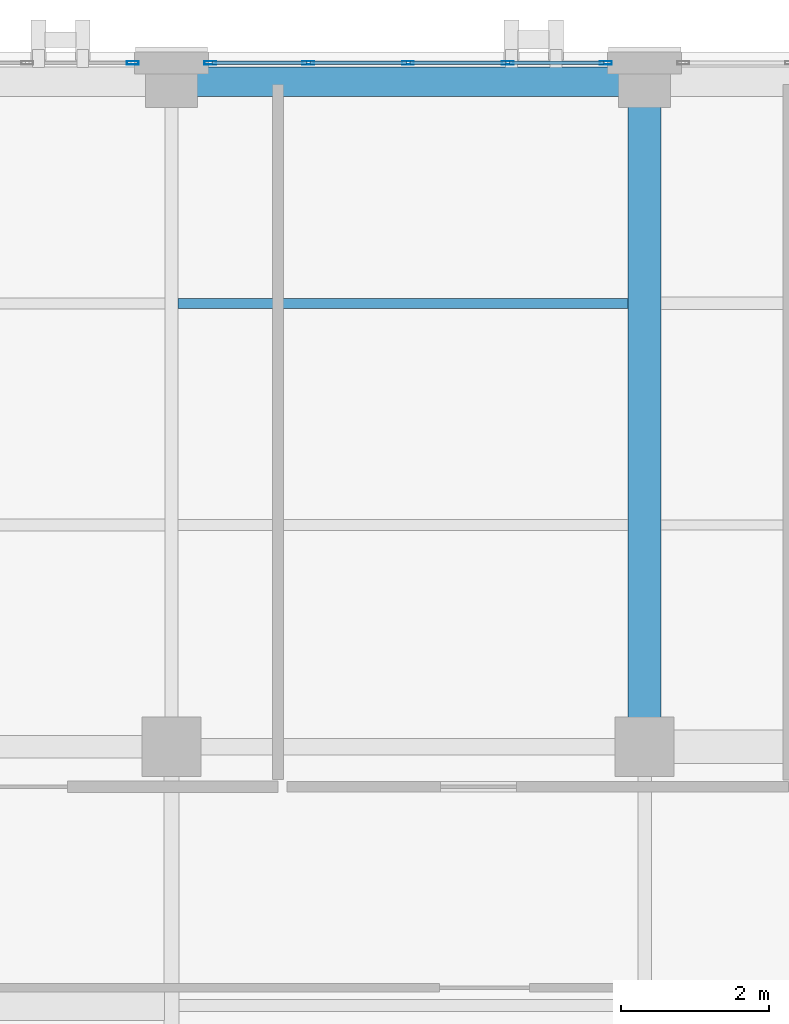
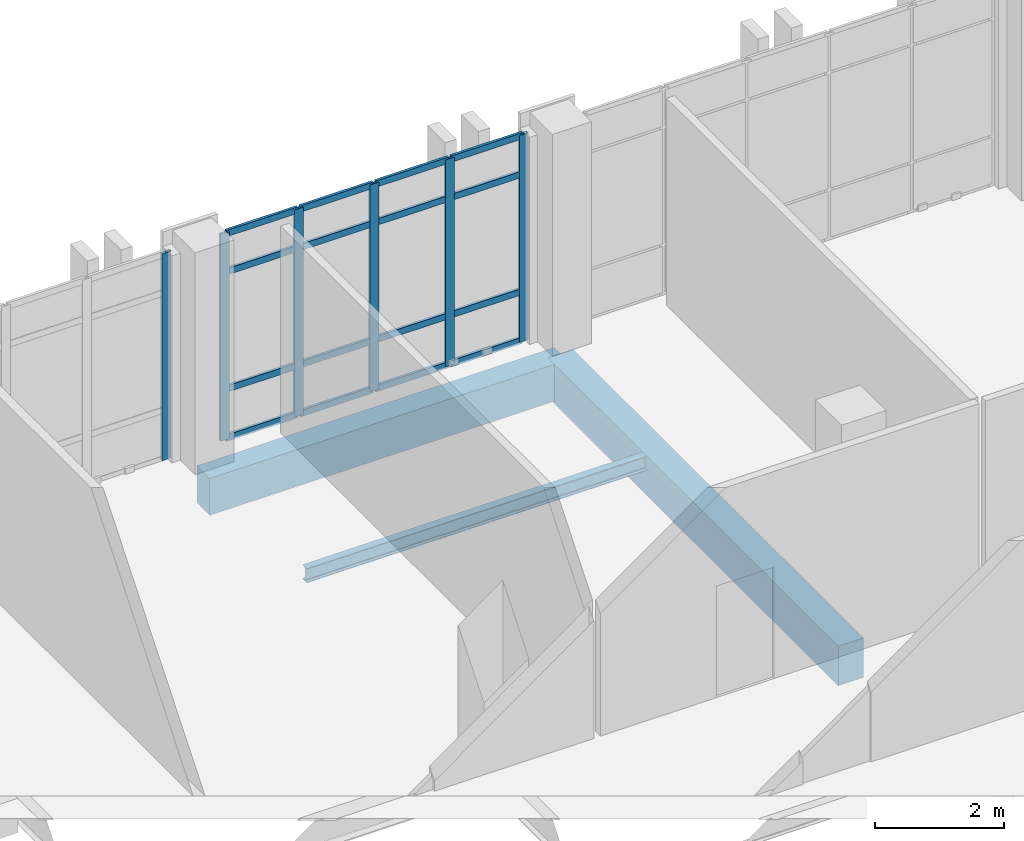
# One storey, part 96 of 165: 22 members, 3 beams, 2 elements without a shape of their own.
"""IFC4 building model written with IfcOpenShell, lengths in metres."""

from ifc_helpers import new_model, si_unit, direction, frame, origin, origin_2d, place, context, subcontext, project, spatial, rectangle, hollow_rectangle, i_section, extrude, material, layer, layer_set, material_profile, profile_set, type_object, element, aggregate, save


model = new_model("IFC4")

# Units and contexts
model_context = context("Model", 3, precision=1e-05, world=origin(), true_north=direction((0.0, 1.0)))
body_context = subcontext(model_context, "Body", "Model", "MODEL_VIEW")
ifc_project = project(units=[si_unit("LENGTHUNIT", "METRE"), si_unit("AREAUNIT", "SQUARE_METRE"), si_unit("VOLUMEUNIT", "CUBIC_METRE"), si_unit("PLANEANGLEUNIT", "RADIAN"), si_unit("MASSUNIT", "GRAM", prefix="KILO")], contexts=[model_context])

# Site, building, storey
site_placement = place(None, origin())
site = spatial("IfcSite", under=ifc_project, at=site_placement, CompositionType="ELEMENT")
building_placement = place(site_placement, origin())
building = spatial("IfcBuilding", under=site, at=building_placement, Name="Qalavern Law Courts", CompositionType="ELEMENT")
storey_placement = place(building_placement, frame((0.0, 0.0, 14.39990234375)))
storey = spatial("IfcBuildingStorey", under=building, at=storey_placement, Name="L03", CompositionType="ELEMENT", Elevation=14.39990234375)

# Curtain wall, members
ifc_material_1 = material(Name="Anodised aluminium and insulated glazing", Category="aluminium")
ifc_layer = layer(ifc_material_1, 0.166015625)
ifc_layer_set = layer_set([ifc_layer], Name="Anodised aluminium and insulated glazing")
curtain_wall_type = type_object("IfcCurtainWallType", Name="ENV-CW-LIB", PredefinedType="USERDEFINED", material=ifc_layer_set)
curtain_wall_1_placement = place(storey_placement, origin())
curtain_wall_1 = element("IfcCurtainWall", 1, at=curtain_wall_1_placement, inside=storey, type_object=curtain_wall_type, Name="V5 unitised curtain wall L03 north 2", ObjectType="UNITISED CURTAIN WALL", PredefinedType="USERDEFINED")
ifc_material_2 = material(Name="Anodised aluminium", Category="aluminium")
ifc_material_profile_1 = material_profile(ifc_material_2, hollow_rectangle(XDim=0.048095703125, YDim=0.159912109375, WallThickness=0.00390625, at=origin_2d()), Name="ALU MULLION 48x160")
ifc_profile_set_1 = profile_set([ifc_material_profile_1], Name="Anodised aluminium")
member_type_1 = type_object("IfcMemberType", Name="ENV-CWM-48x160", PredefinedType="MULLION", material=ifc_profile_set_1)
member_1_placement = place(storey_placement, frame((57.47607421875, 112.8525390625, 0.0), z_axis=(0.0, 0.0, 1.0), x_axis=(0.0, -1.0, 0.0)))
member_1 = element("IfcMember", 2, at=member_1_placement, type_object=member_type_1, Name="CW-05 mullion 1", PredefinedType="MULLION", context=body_context, shape_type="SweptSolid", body=[
    extrude(hollow_rectangle(XDim=0.048095703125, YDim=0.159912109375, WallThickness=0.00390625, at=origin_2d()), origin(), (0.0, 0.0, 1.0), 3.920166015625),
])
member_2_placement = place(storey_placement, frame((56.14990234375, 112.8525390625, 0.0), z_axis=(0.0, 0.0, 1.0), x_axis=(0.0, -1.0, 0.0)))
member_2 = element("IfcMember", 3, at=member_2_placement, type_object=member_type_1, Name="CW-05 mullion 2", PredefinedType="MULLION", context=body_context, shape_type="SweptSolid", body=[
    extrude(hollow_rectangle(XDim=0.048095703125, YDim=0.159912109375, WallThickness=0.00390625, at=origin_2d()), origin(), (0.0, 0.0, 1.0), 3.920166015625),
])
member_3_placement = place(storey_placement, frame((54.800048828125, 112.8525390625, 0.0), z_axis=(0.0, 0.0, 1.0), x_axis=(0.0, -1.0, 0.0)))
member_3 = element("IfcMember", 4, at=member_3_placement, type_object=member_type_1, Name="CW-05 mullion 3", PredefinedType="MULLION", context=body_context, shape_type="SweptSolid", body=[
    extrude(hollow_rectangle(XDim=0.048095703125, YDim=0.159912109375, WallThickness=0.00390625, at=origin_2d()), origin(), (0.0, 0.0, 1.0), 3.920166015625),
])
member_4_placement = place(storey_placement, frame((53.449951171875, 112.8525390625, 0.0), z_axis=(0.0, 0.0, 1.0), x_axis=(0.0, -1.0, 0.0)))
member_4 = element("IfcMember", 5, at=member_4_placement, type_object=member_type_1, Name="CW-05 mullion 4", PredefinedType="MULLION", context=body_context, shape_type="SweptSolid", body=[
    extrude(hollow_rectangle(XDim=0.048095703125, YDim=0.159912109375, WallThickness=0.00390625, at=origin_2d()), origin(), (0.0, 0.0, 1.0), 3.920166015625),
])
member_5_placement = place(storey_placement, frame((52.1240234375, 112.8525390625, 0.0), z_axis=(0.0, 0.0, 1.0), x_axis=(0.0, -1.0, 0.0)))
member_5 = element("IfcMember", 6, at=member_5_placement, type_object=member_type_1, Name="CW-05 mullion 5", PredefinedType="MULLION", context=body_context, shape_type="SweptSolid", body=[
    extrude(hollow_rectangle(XDim=0.048095703125, YDim=0.159912109375, WallThickness=0.00390625, at=origin_2d()), origin(), (0.0, 0.0, 1.0), 3.920166015625),
])

# Curtain wall, member
curtain_wall_2_placement = place(storey_placement, origin())
curtain_wall_2 = element("IfcCurtainWall", 7, at=curtain_wall_2_placement, inside=storey, type_object=curtain_wall_type, Name="V5 unitised curtain wall L03 north 3", ObjectType="UNITISED CURTAIN WALL", PredefinedType="USERDEFINED")
member_6_placement = place(storey_placement, frame((51.075927734375, 112.8525390625, 0.0), z_axis=(0.0, 0.0, 1.0), x_axis=(0.0, -1.0, 0.0)))
member_6 = element("IfcMember", 8, at=member_6_placement, type_object=member_type_1, Name="CW-05 mullion 1", PredefinedType="MULLION", context=body_context, shape_type="SweptSolid", body=[
    extrude(hollow_rectangle(XDim=0.048095703125, YDim=0.159912109375, WallThickness=0.00390625, at=origin_2d()), origin(), (0.0, 0.0, 1.0), 3.920166015625),
])
aggregate(curtain_wall_2, [member_6])

# Member
ifc_material_profile_2 = material_profile(ifc_material_2, hollow_rectangle(XDim=0.048095703125, YDim=0.1201171875, WallThickness=0.00390625, at=origin_2d()), Name="ALU TRANSOM 48x120")
ifc_profile_set_2 = profile_set([ifc_material_profile_2], Name="Anodised aluminium")
member_type_2 = type_object("IfcMemberType", Name="ENV-CWT-48x120", PredefinedType="USERDEFINED", material=ifc_profile_set_2)
member_7_placement = place(storey_placement, frame((57.451904296875, 112.8525390625, 0.024169921875), z_axis=(-1.0, 0.0, 0.0), x_axis=(0.0, -1.0, 0.0)))
member_7 = element("IfcMember", 9, at=member_7_placement, type_object=member_type_2, Name="CW-05 transom 1.1", ObjectType="TRANSOM", PredefinedType="USERDEFINED", context=body_context, shape_type="SweptSolid", body=[
    extrude(hollow_rectangle(XDim=0.048095703125, YDim=0.1201171875, WallThickness=0.00390625, at=origin_2d()), origin(), (0.0, 0.0, 1.0), 1.27783203125),
])

member_8_placement = place(storey_placement, frame((57.451904296875, 112.8525390625, 0.9501953125), z_axis=(-1.0, 0.0, 0.0), x_axis=(0.0, -1.0, 0.0)))
member_8 = element("IfcMember", 10, at=member_8_placement, type_object=member_type_2, Name="CW-05 transom 1.2", ObjectType="TRANSOM", PredefinedType="USERDEFINED", context=body_context, shape_type="SweptSolid", body=[
    extrude(hollow_rectangle(XDim=0.048095703125, YDim=0.1201171875, WallThickness=0.00390625, at=origin_2d()), origin(), (0.0, 0.0, 1.0), 1.27783203125),
])

member_9_placement = place(storey_placement, frame((57.451904296875, 112.8525390625, 3.170166015625), z_axis=(-1.0, 0.0, 0.0), x_axis=(0.0, -1.0, 0.0)))
member_9 = element("IfcMember", 11, at=member_9_placement, type_object=member_type_2, Name="CW-05 transom 1.3", ObjectType="TRANSOM", PredefinedType="USERDEFINED", context=body_context, shape_type="SweptSolid", body=[
    extrude(hollow_rectangle(XDim=0.048095703125, YDim=0.1201171875, WallThickness=0.00390625, at=origin_2d()), origin(), (0.0, 0.0, 1.0), 1.27783203125),
])

member_10_placement = place(storey_placement, frame((57.451904296875, 112.8525390625, 3.89599609375), z_axis=(-1.0, 0.0, 0.0), x_axis=(0.0, -1.0, 0.0)))
member_10 = element("IfcMember", 12, at=member_10_placement, type_object=member_type_2, Name="CW-05 transom 1.4", ObjectType="TRANSOM", PredefinedType="USERDEFINED", context=body_context, shape_type="SweptSolid", body=[
    extrude(hollow_rectangle(XDim=0.048095703125, YDim=0.1201171875, WallThickness=0.00390625, at=origin_2d()), origin(), (0.0, 0.0, 1.0), 1.27783203125),
])

member_11_placement = place(storey_placement, frame((56.1259765625, 112.8525390625, 0.024169921875), z_axis=(-1.0, 0.0, 0.0), x_axis=(0.0, -1.0, 0.0)))
member_11 = element("IfcMember", 13, at=member_11_placement, type_object=member_type_2, Name="CW-05 transom 2.1", ObjectType="TRANSOM", PredefinedType="USERDEFINED", context=body_context, shape_type="SweptSolid", body=[
    extrude(hollow_rectangle(XDim=0.048095703125, YDim=0.1201171875, WallThickness=0.00390625, at=origin_2d()), origin(), (0.0, 0.0, 1.0), 1.302001953125),
])

member_12_placement = place(storey_placement, frame((56.1259765625, 112.8525390625, 0.9501953125), z_axis=(-1.0, 0.0, 0.0), x_axis=(0.0, -1.0, 0.0)))
member_12 = element("IfcMember", 14, at=member_12_placement, type_object=member_type_2, Name="CW-05 transom 2.2", ObjectType="TRANSOM", PredefinedType="USERDEFINED", context=body_context, shape_type="SweptSolid", body=[
    extrude(hollow_rectangle(XDim=0.048095703125, YDim=0.1201171875, WallThickness=0.00390625, at=origin_2d()), origin(), (0.0, 0.0, 1.0), 1.302001953125),
])

member_13_placement = place(storey_placement, frame((56.1259765625, 112.8525390625, 3.170166015625), z_axis=(-1.0, 0.0, 0.0), x_axis=(0.0, -1.0, 0.0)))
member_13 = element("IfcMember", 15, at=member_13_placement, type_object=member_type_2, Name="CW-05 transom 2.3", ObjectType="TRANSOM", PredefinedType="USERDEFINED", context=body_context, shape_type="SweptSolid", body=[
    extrude(hollow_rectangle(XDim=0.048095703125, YDim=0.1201171875, WallThickness=0.00390625, at=origin_2d()), origin(), (0.0, 0.0, 1.0), 1.302001953125),
])

member_14_placement = place(storey_placement, frame((56.1259765625, 112.8525390625, 3.89599609375), z_axis=(-1.0, 0.0, 0.0), x_axis=(0.0, -1.0, 0.0)))
member_14 = element("IfcMember", 16, at=member_14_placement, type_object=member_type_2, Name="CW-05 transom 2.4", ObjectType="TRANSOM", PredefinedType="USERDEFINED", context=body_context, shape_type="SweptSolid", body=[
    extrude(hollow_rectangle(XDim=0.048095703125, YDim=0.1201171875, WallThickness=0.00390625, at=origin_2d()), origin(), (0.0, 0.0, 1.0), 1.302001953125),
])

member_15_placement = place(storey_placement, frame((54.77587890625, 112.8525390625, 0.024169921875), z_axis=(-1.0, 0.0, 0.0), x_axis=(0.0, -1.0, 0.0)))
member_15 = element("IfcMember", 17, at=member_15_placement, type_object=member_type_2, Name="CW-05 transom 3.1", ObjectType="TRANSOM", PredefinedType="USERDEFINED", context=body_context, shape_type="SweptSolid", body=[
    extrude(hollow_rectangle(XDim=0.048095703125, YDim=0.1201171875, WallThickness=0.00390625, at=origin_2d()), origin(), (0.0, 0.0, 1.0), 1.3017578125),
])

member_16_placement = place(storey_placement, frame((54.77587890625, 112.8525390625, 0.9501953125), z_axis=(-1.0, 0.0, 0.0), x_axis=(0.0, -1.0, 0.0)))
member_16 = element("IfcMember", 18, at=member_16_placement, type_object=member_type_2, Name="CW-05 transom 3.2", ObjectType="TRANSOM", PredefinedType="USERDEFINED", context=body_context, shape_type="SweptSolid", body=[
    extrude(hollow_rectangle(XDim=0.048095703125, YDim=0.1201171875, WallThickness=0.00390625, at=origin_2d()), origin(), (0.0, 0.0, 1.0), 1.3017578125),
])

member_17_placement = place(storey_placement, frame((54.77587890625, 112.8525390625, 3.170166015625), z_axis=(-1.0, 0.0, 0.0), x_axis=(0.0, -1.0, 0.0)))
member_17 = element("IfcMember", 19, at=member_17_placement, type_object=member_type_2, Name="CW-05 transom 3.3", ObjectType="TRANSOM", PredefinedType="USERDEFINED", context=body_context, shape_type="SweptSolid", body=[
    extrude(hollow_rectangle(XDim=0.048095703125, YDim=0.1201171875, WallThickness=0.00390625, at=origin_2d()), origin(), (0.0, 0.0, 1.0), 1.3017578125),
])

member_18_placement = place(storey_placement, frame((54.77587890625, 112.8525390625, 3.89599609375), z_axis=(-1.0, 0.0, 0.0), x_axis=(0.0, -1.0, 0.0)))
member_18 = element("IfcMember", 20, at=member_18_placement, type_object=member_type_2, Name="CW-05 transom 3.4", ObjectType="TRANSOM", PredefinedType="USERDEFINED", context=body_context, shape_type="SweptSolid", body=[
    extrude(hollow_rectangle(XDim=0.048095703125, YDim=0.1201171875, WallThickness=0.00390625, at=origin_2d()), origin(), (0.0, 0.0, 1.0), 1.3017578125),
])

member_19_placement = place(storey_placement, frame((53.426025390625, 112.8525390625, 0.024169921875), z_axis=(-1.0, 0.0, 0.0), x_axis=(0.0, -1.0, 0.0)))
member_19 = element("IfcMember", 21, at=member_19_placement, type_object=member_type_2, Name="CW-05 transom 4.1", ObjectType="TRANSOM", PredefinedType="USERDEFINED", context=body_context, shape_type="SweptSolid", body=[
    extrude(hollow_rectangle(XDim=0.048095703125, YDim=0.1201171875, WallThickness=0.00390625, at=origin_2d()), origin(), (0.0, 0.0, 1.0), 1.278076171875),
])

member_20_placement = place(storey_placement, frame((53.426025390625, 112.8525390625, 0.9501953125), z_axis=(-1.0, 0.0, 0.0), x_axis=(0.0, -1.0, 0.0)))
member_20 = element("IfcMember", 22, at=member_20_placement, type_object=member_type_2, Name="CW-05 transom 4.2", ObjectType="TRANSOM", PredefinedType="USERDEFINED", context=body_context, shape_type="SweptSolid", body=[
    extrude(hollow_rectangle(XDim=0.048095703125, YDim=0.1201171875, WallThickness=0.00390625, at=origin_2d()), origin(), (0.0, 0.0, 1.0), 1.278076171875),
])

member_21_placement = place(storey_placement, frame((53.426025390625, 112.8525390625, 3.170166015625), z_axis=(-1.0, 0.0, 0.0), x_axis=(0.0, -1.0, 0.0)))
member_21 = element("IfcMember", 23, at=member_21_placement, type_object=member_type_2, Name="CW-05 transom 4.3", ObjectType="TRANSOM", PredefinedType="USERDEFINED", context=body_context, shape_type="SweptSolid", body=[
    extrude(hollow_rectangle(XDim=0.048095703125, YDim=0.1201171875, WallThickness=0.00390625, at=origin_2d()), origin(), (0.0, 0.0, 1.0), 1.278076171875),
])

member_22_placement = place(storey_placement, frame((53.426025390625, 112.8525390625, 3.89599609375), z_axis=(-1.0, 0.0, 0.0), x_axis=(0.0, -1.0, 0.0)))
member_22 = element("IfcMember", 24, at=member_22_placement, type_object=member_type_2, Name="CW-05 transom 4.4", ObjectType="TRANSOM", PredefinedType="USERDEFINED", context=body_context, shape_type="SweptSolid", body=[
    extrude(hollow_rectangle(XDim=0.048095703125, YDim=0.1201171875, WallThickness=0.00390625, at=origin_2d()), origin(), (0.0, 0.0, 1.0), 1.278076171875),
])

aggregate(curtain_wall_1, [member_1, member_2, member_3, member_4, member_5, member_7, member_8, member_9, member_10, member_11, member_12, member_13, member_14, member_15, member_16, member_17, member_18, member_19, member_20, member_21, member_22])

# Beams
ifc_material_3 = material(Name="Concrete C40/50", Category="concrete")
ifc_material_profile_3 = material_profile(ifc_material_3, rectangle(XDim=0.449951171875, YDim=0.75, at=origin_2d()), Name="RC 450x750")
ifc_profile_set_3 = profile_set([ifc_material_profile_3], Name="Concrete C40/50")
beam_type_1 = type_object("IfcBeamType", Name="STR-BM-RC450x750", PredefinedType="BEAM", material=ifc_profile_set_3)
beam_1_placement = place(storey_placement, frame((58.0, 103.60009765625, -0.659912109375), z_axis=(0.0, 1.0, 0.0), x_axis=(-1.0, 0.0, 0.0)))
element("IfcBeam", 25, at=beam_1_placement, inside=storey, type_object=beam_type_1, Name="V5 Y-beam 8-2 L03", PredefinedType="BEAM", context=body_context, shape_type="SweptSolid", body=[
    extrude(rectangle(XDim=0.449951171875, YDim=0.75, at=origin_2d()), origin(), (0.0, 0.0, 1.0), 9.0),
])
ifc_material_4 = material(Name="Steel S355", Category="steel")
ifc_material_profile_4 = material_profile(ifc_material_4, i_section(OverallWidth=0.135009765625, OverallDepth=0.27001953125, WebThickness=0.006591796875, FlangeThickness=0.01025390625, FilletRadius=0.014892578125, at=origin_2d()), Name="IPE 270")
ifc_profile_set_4 = profile_set([ifc_material_profile_4], Name="Steel S355")
beam_type_2 = type_object("IfcBeamType", Name="STR-JST-IPE270", PredefinedType="JOIST", material=ifc_profile_set_4)
beam_2_placement = place(storey_placement, frame((51.68798828125, 109.60009765625, -0.419921875), z_axis=(1.0, 0.0, 0.0), x_axis=(0.0, 1.0, 0.0)))
element("IfcBeam", 26, at=beam_2_placement, inside=storey, type_object=beam_type_2, Name="V5 secondary joist 7.2.2 L03", PredefinedType="JOIST", context=body_context, shape_type="SweptSolid", body=[
    extrude(i_section(OverallWidth=0.135009765625, OverallDepth=0.27001953125, WebThickness=0.006591796875, FlangeThickness=0.01025390625, FilletRadius=0.014892578125, at=origin_2d()), origin(), (0.0, 0.0, 1.0), 6.089111328125),
])
ifc_material_profile_5 = material_profile(ifc_material_3, rectangle(XDim=0.39990234375, YDim=0.699951171875, at=origin_2d()), Name="RC 400x700")
ifc_profile_set_5 = profile_set([ifc_material_profile_5], Name="Concrete C40/50")
beam_type_3 = type_object("IfcBeamType", Name="STR-SP-RC400x700", PredefinedType="SPANDREL", material=ifc_profile_set_5)
beam_3_placement = place(storey_placement, frame((51.60009765625, 112.60009765625, -0.635009765625), z_axis=(1.0, 0.0, 0.0), x_axis=(0.0, 1.0, 0.0)))
element("IfcBeam", 27, at=beam_3_placement, inside=storey, type_object=beam_type_3, Name="V5 X-beam 3-7 L03", PredefinedType="SPANDREL", context=body_context, shape_type="SweptSolid", body=[
    extrude(rectangle(XDim=0.39990234375, YDim=0.699951171875, at=origin_2d()), origin(), (0.0, 0.0, 1.0), 6.39990234375),
])

save(model, "model.ifc")
